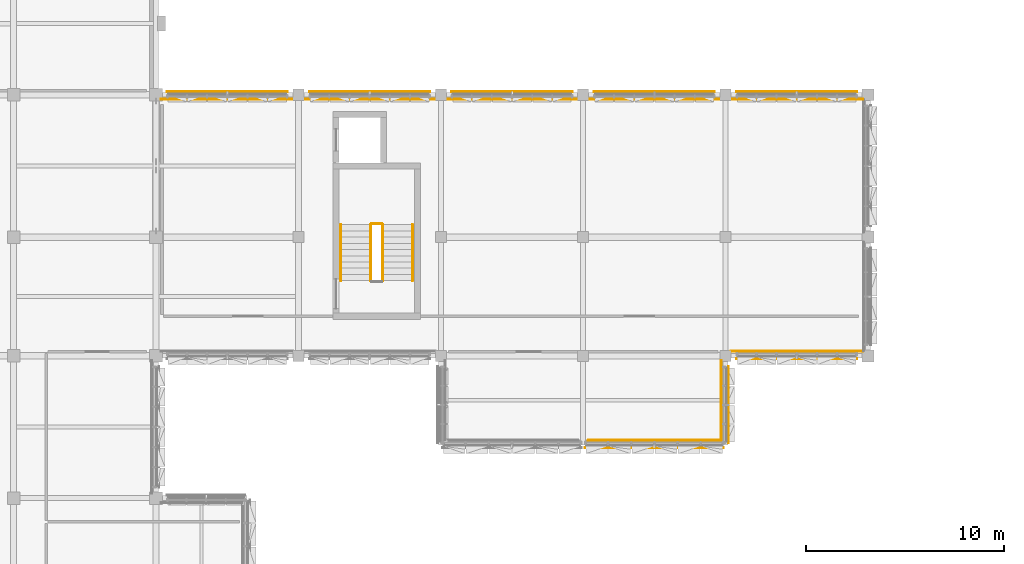
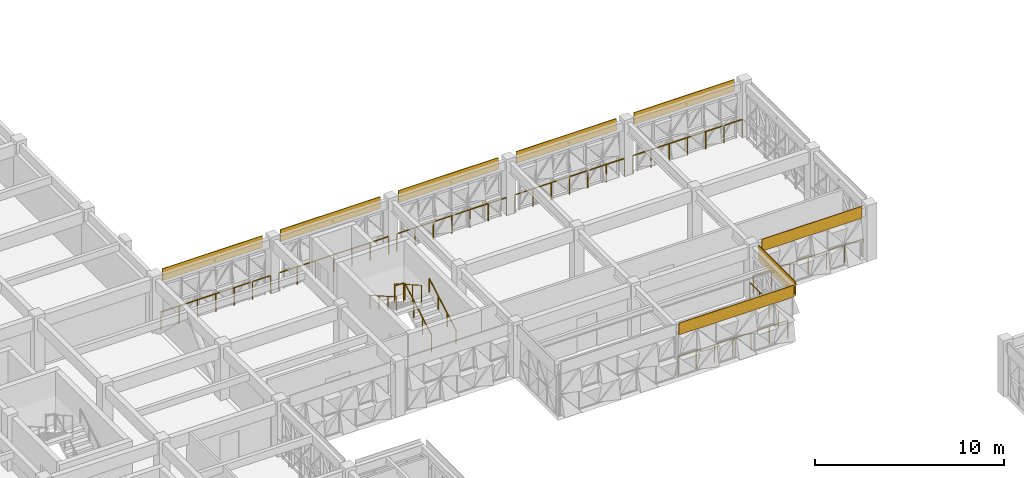
# One storey, part 71 of 85: 13 railings, 8 coverings.
"""IFC4 building model written with IfcOpenShell, lengths in metres."""

from ifc_helpers import new_model, si_unit, direction, frame, origin, origin_2d, place, context, subcontext, project, spatial, polyline, circle, outline, extrude, material, layer, layer_set, type_object, element, save


model = new_model("IFC4")

# Units and contexts
model_context = context("Model", 3, precision=1e-05, world=origin(), true_north=direction((0.0, 1.0)))
body_context = subcontext(model_context, "Body", "Model", "MODEL_VIEW")
ifc_project = project(units=[si_unit("LENGTHUNIT", "METRE"), si_unit("AREAUNIT", "SQUARE_METRE"), si_unit("VOLUMEUNIT", "CUBIC_METRE"), si_unit("PLANEANGLEUNIT", "RADIAN"), si_unit("MASSUNIT", "GRAM", prefix="KILO")], contexts=[model_context])

# Site, building, storey
site_placement = place(None, origin())
site = spatial("IfcSite", under=ifc_project, at=site_placement, CompositionType="ELEMENT")
building_placement = place(site_placement, origin())
building = spatial("IfcBuilding", under=site, at=building_placement, Name="Alvorim Cloister Faculty of Sciences", CompositionType="ELEMENT")
storey_placement = place(building_placement, frame((0.0, 0.0, 8.550048828125)))
storey = spatial("IfcBuildingStorey", under=building, at=storey_placement, Name="L02", CompositionType="ELEMENT", Elevation=8.550048828125)

# Coverings
ifc_material_1 = material(Name="Anodised Aluminium Alloy 6063-T6", Category="aluminium")
ifc_layer = layer(ifc_material_1, 0.031982421875)
ifc_layer_set = layer_set([ifc_layer], Name="Anodised Aluminium Alloy 6063-T6")
covering_type = type_object("IfcCoveringType", Name="COV-FAC-CAS", PredefinedType="CLADDING", material=ifc_layer_set)
for number, where, z_axis, x_axis, name in (
    (1, (29.340087890625, 56.550048828125, 2.829833984375), (0.0, 0.0, 1.0), (1.0, 0.0, 0.0), "L02 Shifted Bar Slab-Edge Architectural Fascia"),
    (2, (36.5400390625, 56.550048828125, 2.829833984375), (0.0, 0.0, 1.0), (1.0, 0.0, 0.0), "L02 Shifted Bar Slab-Edge Architectural Fascia"),
    (3, (43.739990234375, 56.550048828125, 2.829833984375), (0.0, 0.0, 1.0), (1.0, 0.0, 0.0), "L02 Shifted Bar Slab-Edge Architectural Fascia"),
    (4, (50.93994140625, 56.550048828125, 2.829833984375), (0.0, 0.0, 1.0), (1.0, 0.0, 0.0), "L02 Shifted Bar Slab-Edge Architectural Fascia"),
    (5, (58.139892578125, 56.550048828125, 2.829833984375), (0.0, 0.0, 1.0), (1.0, 0.0, 0.0), "L02 Shifted Bar Slab-Edge Architectural Fascia"),
    (6, (58.139892578125, 43.050048828125, 2.829833984375), (0.0, 0.0, 1.0), (1.0, 0.0, 0.0), "L02 Shifted Bar Slab-Edge Architectural Fascia"),
):
    element("IfcCovering", number, at=place(storey_placement, frame(where, z_axis=z_axis, x_axis=x_axis)), inside=storey, type_object=covering_type, Name=name, PredefinedType="CLADDING", context=body_context, shape_type="SweptSolid", body=[
        extrude(outline(polyline([(0.0, 0.0), (6.1201171875, 0.0), (6.1201171875, 0.760009765625), (0.0, 0.760009765625), (0.0, 0.0)])), frame((0.0, 0.0224609375, 0.0), z_axis=(0.0, -1.0, 0.0), x_axis=(1.0, 0.0, 0.0)), (0.0, 0.0, 1.0), 0.044921875),
    ])
covering_1_placement = place(storey_placement, frame((57.75, 38.780029296875, 2.68603515625), z_axis=(0.0, 0.0, 1.0), x_axis=(0.0, 1.0, 0.0)))
element("IfcCovering", 7, at=covering_1_placement, inside=storey, type_object=covering_type, Name="L02 Shifted Bar Slab-Edge Architectural Fascia", PredefinedType="CLADDING", context=body_context, shape_type="SweptSolid", body=[
    extrude(outline(polyline([(0.0, 0.0), (3.8798828125, 0.0), (3.8798828125, 0.90380859375), (0.0, 0.90380859375), (0.0, 0.0)])), frame((0.0, 0.0224609375, 0.0), z_axis=(0.0, -1.0, 0.0), x_axis=(1.0, 0.0, 0.0)), (0.0, 0.0, 1.0), 0.044921875),
])
covering_2_placement = place(storey_placement, frame((50.47998046875, 38.550048828125, 2.8369140625), z_axis=(0.0, 0.0, 1.0), x_axis=(1.0, 0.0, 0.0)))
element("IfcCovering", 8, at=covering_2_placement, inside=storey, type_object=covering_type, Name="L02 Shifted Bar Slab-Edge Architectural Fascia", PredefinedType="CLADDING", context=body_context, shape_type="SweptSolid", body=[
    extrude(outline(polyline([(0.0, 0.0), (7.0400390625, 0.0), (7.0400390625, 0.7529296875), (0.0, 0.7529296875), (0.0, 0.0)])), frame((0.0, 0.0224609375, 0.0), z_axis=(0.0, -1.0, 0.0), x_axis=(1.0, 0.0, 0.0)), (0.0, 0.0, 1.0), 0.044921875),
])

# Railings
ifc_material_2 = material(Name="Laminated Safety Glass and Bronze", Category="glass")
railing_type_1 = type_object("IfcRailingType", Name="RL-ATR-BAL-1150", PredefinedType="BALUSTRADE", material=ifc_material_2)
for number, where, name in (
    (9, (29.050048828125, 56.179931640625, 0.0), "L02 Curtain Wall Sill Guard BL-50"),
    (10, (36.25, 56.179931640625, 0.0), "L02 Curtain Wall Sill Guard BL-51"),
    (11, (43.449951171875, 56.179931640625, 0.0), "L02 Curtain Wall Sill Guard BL-52"),
):
    element("IfcRailing", number, at=place(storey_placement, frame(where)), inside=storey, type_object=railing_type_1, Name=name, PredefinedType="BALUSTRADE", context=body_context, shape_type="SweptSolid", body=[
        extrude(circle(Radius=0.02392578125, at=origin_2d()), frame((0.0, 0.0, 1.1259765625), z_axis=(1.0, 0.0, 0.0), x_axis=(0.0, 1.0, 0.0)), (0.0, 0.0, 1.0), 6.699951171875),
        extrude(circle(Radius=0.02099609375, at=origin_2d()), origin(), (0.0, 0.0, 1.0), 1.101806640625),
        extrude(circle(Radius=0.02099609375, at=origin_2d()), frame((1.11669921875, 0.0, 0.0)), (0.0, 0.0, 1.0), 1.101806640625),
        extrude(circle(Radius=0.02099609375, at=origin_2d()), frame((2.2333984375, 0.0, 0.0)), (0.0, 0.0, 1.0), 1.101806640625),
        extrude(circle(Radius=0.02099609375, at=origin_2d()), frame((3.35009765625, 0.0, 0.0)), (0.0, 0.0, 1.0), 1.101806640625),
        extrude(circle(Radius=0.02099609375, at=origin_2d()), frame((4.466552734375, 0.0, 0.0)), (0.0, 0.0, 1.0), 1.101806640625),
        extrude(circle(Radius=0.02099609375, at=origin_2d()), frame((5.583251953125, 0.0, 0.0)), (0.0, 0.0, 1.0), 1.101806640625),
        extrude(circle(Radius=0.02099609375, at=origin_2d()), frame((6.699951171875, 0.0, 0.0)), (0.0, 0.0, 1.0), 1.101806640625),
    ])
railing_1_placement = place(storey_placement, frame((50.64990234375, 56.179931640625, 0.0)))
element("IfcRailing", 12, at=railing_1_placement, inside=storey, type_object=railing_type_1, Name="L02 Curtain Wall Sill Guard BL-53", PredefinedType="BALUSTRADE", context=body_context, shape_type="SweptSolid", body=[
    extrude(circle(Radius=0.02392578125, at=origin_2d()), frame((0.0, 0.0, 1.1259765625), z_axis=(1.0, 0.0, 0.0), x_axis=(0.0, 1.0, 0.0)), (0.0, 0.0, 1.0), 6.7001953125),
    extrude(circle(Radius=0.02099609375, at=origin_2d()), origin(), (0.0, 0.0, 1.0), 1.101806640625),
    extrude(circle(Radius=0.02099609375, at=origin_2d()), frame((1.11669921875, 0.0, 0.0)), (0.0, 0.0, 1.0), 1.101806640625),
    extrude(circle(Radius=0.02099609375, at=origin_2d()), frame((2.2333984375, 0.0, 0.0)), (0.0, 0.0, 1.0), 1.101806640625),
    extrude(circle(Radius=0.02099609375, at=origin_2d()), frame((3.35009765625, 0.0, 0.0)), (0.0, 0.0, 1.0), 1.101806640625),
    extrude(circle(Radius=0.02099609375, at=origin_2d()), frame((4.466796875, 0.0, 0.0)), (0.0, 0.0, 1.0), 1.101806640625),
    extrude(circle(Radius=0.02099609375, at=origin_2d()), frame((5.58349609375, 0.0, 0.0)), (0.0, 0.0, 1.0), 1.101806640625),
    extrude(circle(Radius=0.02099609375, at=origin_2d()), frame((6.7001953125, 0.0, 0.0)), (0.0, 0.0, 1.0), 1.101806640625),
])
for number, where, name in (
    (13, (57.85009765625, 56.179931640625, 0.0), "L02 Curtain Wall Sill Guard BL-54"),
    (14, (57.85009765625, 43.419921875, 0.0), "L02 Curtain Wall Sill Guard BL-57"),
):
    element("IfcRailing", number, at=place(storey_placement, frame(where)), inside=storey, type_object=railing_type_1, Name=name, PredefinedType="BALUSTRADE", context=body_context, shape_type="SweptSolid", body=[
        extrude(circle(Radius=0.02392578125, at=origin_2d()), frame((0.0, 0.0, 1.1259765625), z_axis=(1.0, 0.0, 0.0), x_axis=(0.0, 1.0, 0.0)), (0.0, 0.0, 1.0), 6.699951171875),
        extrude(circle(Radius=0.02099609375, at=origin_2d()), origin(), (0.0, 0.0, 1.0), 1.101806640625),
        extrude(circle(Radius=0.02099609375, at=origin_2d()), frame((1.11669921875, 0.0, 0.0)), (0.0, 0.0, 1.0), 1.101806640625),
        extrude(circle(Radius=0.02099609375, at=origin_2d()), frame((2.2333984375, 0.0, 0.0)), (0.0, 0.0, 1.0), 1.101806640625),
        extrude(circle(Radius=0.02099609375, at=origin_2d()), frame((3.35009765625, 0.0, 0.0)), (0.0, 0.0, 1.0), 1.101806640625),
        extrude(circle(Radius=0.02099609375, at=origin_2d()), frame((4.466552734375, 0.0, 0.0)), (0.0, 0.0, 1.0), 1.101806640625),
        extrude(circle(Radius=0.02099609375, at=origin_2d()), frame((5.583251953125, 0.0, 0.0)), (0.0, 0.0, 1.0), 1.101806640625),
        extrude(circle(Radius=0.02099609375, at=origin_2d()), frame((6.699951171875, 0.0, 0.0)), (0.0, 0.0, 1.0), 1.101806640625),
    ])
railing_2_placement = place(storey_placement, frame((57.3798828125, 38.949951171875, 0.0)))
element("IfcRailing", 15, at=railing_2_placement, inside=storey, type_object=railing_type_1, Name="L02 Curtain Wall Sill Guard BL-58", PredefinedType="BALUSTRADE", context=body_context, shape_type="SweptSolid", body=[
    extrude(circle(Radius=0.02392578125, at=origin_2d()), frame((0.0, 0.0, 1.1259765625), z_axis=(0.0, 1.0, 0.0), x_axis=(-1.0, 0.0, 0.0)), (0.0, 0.0, 1.0), 4.0),
    extrude(circle(Radius=0.02099609375, at=origin_2d()), origin(), (0.0, 0.0, 1.0), 1.101806640625),
    extrude(circle(Radius=0.02099609375, at=origin_2d()), frame((0.0, 1.0, 0.0)), (0.0, 0.0, 1.0), 1.101806640625),
    extrude(circle(Radius=0.02099609375, at=origin_2d()), frame((0.0, 2.0, 0.0)), (0.0, 0.0, 1.0), 1.101806640625),
    extrude(circle(Radius=0.02099609375, at=origin_2d()), frame((0.0, 3.0, 0.0)), (0.0, 0.0, 1.0), 1.101806640625),
    extrude(circle(Radius=0.02099609375, at=origin_2d()), frame((0.0, 4.0, 0.0)), (0.0, 0.0, 1.0), 1.101806640625),
])
railing_3_placement = place(storey_placement, frame((50.64990234375, 38.919921875, 0.0)))
element("IfcRailing", 16, at=railing_3_placement, inside=storey, type_object=railing_type_1, Name="L02 Curtain Wall Sill Guard BL-59", PredefinedType="BALUSTRADE", context=body_context, shape_type="SweptSolid", body=[
    extrude(circle(Radius=0.02392578125, at=origin_2d()), frame((0.0, 0.0, 1.1259765625), z_axis=(1.0, 0.0, 0.0), x_axis=(0.0, 1.0, 0.0)), (0.0, 0.0, 1.0), 6.7001953125),
    extrude(circle(Radius=0.02099609375, at=origin_2d()), origin(), (0.0, 0.0, 1.0), 1.101806640625),
    extrude(circle(Radius=0.02099609375, at=origin_2d()), frame((1.11669921875, 0.0, 0.0)), (0.0, 0.0, 1.0), 1.101806640625),
    extrude(circle(Radius=0.02099609375, at=origin_2d()), frame((2.2333984375, 0.0, 0.0)), (0.0, 0.0, 1.0), 1.101806640625),
    extrude(circle(Radius=0.02099609375, at=origin_2d()), frame((3.35009765625, 0.0, 0.0)), (0.0, 0.0, 1.0), 1.101806640625),
    extrude(circle(Radius=0.02099609375, at=origin_2d()), frame((4.466796875, 0.0, 0.0)), (0.0, 0.0, 1.0), 1.101806640625),
    extrude(circle(Radius=0.02099609375, at=origin_2d()), frame((5.58349609375, 0.0, 0.0)), (0.0, 0.0, 1.0), 1.101806640625),
    extrude(circle(Radius=0.02099609375, at=origin_2d()), frame((6.7001953125, 0.0, 0.0)), (0.0, 0.0, 1.0), 1.101806640625),
])
ifc_material_3 = material(Name="Galvanised Painted Steel", Category="steel")
railing_type_2 = type_object("IfcRailingType", Name="RL-STR-GUARD", PredefinedType="GUARDRAIL", material=ifc_material_3)
railing_4_placement = place(storey_placement, frame((40.27001953125, 47.0, 0.179931640625)))
element("IfcRailing", 17, at=railing_4_placement, inside=storey, type_object=railing_type_2, Name="L02 ST-04 stair guard 1", PredefinedType="GUARDRAIL", context=body_context, shape_type="SweptSolid", body=[
    extrude(circle(Radius=0.02392578125, at=origin_2d()), frame((0.0, 0.0, 1.09619140625), z_axis=(0.0, 0.868224736699, 0.496171146464), x_axis=(-1.0, 0.0, 0.0)), (0.0, 0.0, 1.0), 3.26513671875),
    extrude(circle(Radius=0.02099609375, at=origin_2d()), origin(), (0.0, 0.0, 1.0), 1.072021484375),
    extrude(circle(Radius=0.02099609375, at=origin_2d()), frame((0.0, 0.945068359375, 0.5400390625)), (0.0, 0.0, 1.0), 1.072021484375),
    extrude(circle(Radius=0.02099609375, at=origin_2d()), frame((0.0, 1.889892578125, 1.080078125)), (0.0, 0.0, 1.0), 1.072021484375),
    extrude(circle(Radius=0.02099609375, at=origin_2d()), frame((0.0, 2.8349609375, 1.6201171875)), (0.0, 0.0, 1.0), 1.072021484375),
])
railing_5_placement = place(storey_placement, frame((40.219970703125, 49.885009765625, 1.800048828125)))
element("IfcRailing", 18, at=railing_5_placement, inside=storey, type_object=railing_type_2, Name="L02 ST-04 stair guard 2", PredefinedType="GUARDRAIL", context=body_context, shape_type="SweptSolid", body=[
    extrude(circle(Radius=0.02392578125, at=origin_2d()), frame((0.0, 0.0, 1.09619140625), z_axis=(-1.0, 0.0, 0.0), x_axis=(0.0, -1.0, 0.0)), (0.0, 0.0, 1.0), 0.52001953125),
    extrude(circle(Radius=0.02099609375, at=origin_2d()), origin(), (0.0, 0.0, 1.0), 1.072021484375),
    extrude(circle(Radius=0.02099609375, at=origin_2d()), frame((-0.52001953125, 0.0, 0.0)), (0.0, 0.0, 1.0), 1.072021484375),
])
railing_6_placement = place(storey_placement, frame((39.64990234375, 49.8349609375, 1.97998046875)))
element("IfcRailing", 19, at=railing_6_placement, inside=storey, type_object=railing_type_2, Name="L02 ST-04 stair guard 3", PredefinedType="GUARDRAIL", context=body_context, shape_type="SweptSolid", body=[
    extrude(circle(Radius=0.02392578125, at=origin_2d()), frame((0.0, 0.0, 1.09619140625), z_axis=(0.0, -0.868256945921, 0.496114780932), x_axis=(1.0, 0.0, 0.0)), (0.0, 0.0, 1.0), 3.26513671875),
    extrude(circle(Radius=0.02099609375, at=origin_2d()), origin(), (0.0, 0.0, 1.0), 1.072021484375),
    extrude(circle(Radius=0.02099609375, at=origin_2d()), frame((0.0, -0.945068359375, 0.5400390625)), (0.0, 0.0, 1.0), 1.072021484375),
    extrude(circle(Radius=0.02099609375, at=origin_2d()), frame((0.0, -1.889892578125, 1.079833984375)), (0.0, 0.0, 1.0), 1.072021484375),
    extrude(circle(Radius=0.02099609375, at=origin_2d()), frame((0.0, -2.8349609375, 1.619873046875)), (0.0, 0.0, 1.0), 1.072021484375),
])
ifc_material_4 = material(Name="Brushed Stainless Steel", Category="steel")
railing_type_3 = type_object("IfcRailingType", Name="RL-STR-HAND", PredefinedType="HANDRAIL", material=ifc_material_4)
railing_7_placement = place(storey_placement, frame((41.77001953125, 47.0, 0.179931640625)))
element("IfcRailing", 20, at=railing_7_placement, inside=storey, type_object=railing_type_3, Name="L02 ST-04 stair handrail 1", PredefinedType="HANDRAIL", context=body_context, shape_type="SweptSolid", body=[
    extrude(circle(Radius=0.02392578125, at=origin_2d()), frame((0.0, 0.0, 0.8759765625), z_axis=(0.0, 0.868224736699, 0.496171146464), x_axis=(-1.0, 0.0, 0.0)), (0.0, 0.0, 1.0), 3.26513671875),
    extrude(circle(Radius=0.02099609375, at=origin_2d()), origin(), (0.0, 0.0, 1.0), 0.851806640625),
    extrude(circle(Radius=0.02099609375, at=origin_2d()), frame((0.0, 0.945068359375, 0.5400390625)), (0.0, 0.0, 1.0), 0.851806640625),
    extrude(circle(Radius=0.02099609375, at=origin_2d()), frame((0.0, 1.889892578125, 1.080078125)), (0.0, 0.0, 1.0), 0.851806640625),
    extrude(circle(Radius=0.02099609375, at=origin_2d()), frame((0.0, 2.8349609375, 1.6201171875)), (0.0, 0.0, 1.0), 0.851806640625),
])
railing_8_placement = place(storey_placement, frame((38.14990234375, 49.8349609375, 1.97998046875)))
element("IfcRailing", 21, at=railing_8_placement, inside=storey, type_object=railing_type_3, Name="L02 ST-04 stair handrail 2", PredefinedType="HANDRAIL", context=body_context, shape_type="SweptSolid", body=[
    extrude(circle(Radius=0.02392578125, at=origin_2d()), frame((0.0, 0.0, 0.8759765625), z_axis=(0.0, -0.868256945921, 0.496114780932), x_axis=(1.0, 0.0, 0.0)), (0.0, 0.0, 1.0), 3.26513671875),
    extrude(circle(Radius=0.02099609375, at=origin_2d()), origin(), (0.0, 0.0, 1.0), 0.851806640625),
    extrude(circle(Radius=0.02099609375, at=origin_2d()), frame((0.0, -0.945068359375, 0.5400390625)), (0.0, 0.0, 1.0), 0.851806640625),
    extrude(circle(Radius=0.02099609375, at=origin_2d()), frame((0.0, -1.889892578125, 1.079833984375)), (0.0, 0.0, 1.0), 0.851806640625),
    extrude(circle(Radius=0.02099609375, at=origin_2d()), frame((0.0, -2.8349609375, 1.619873046875)), (0.0, 0.0, 1.0), 0.851806640625),
])

save(model, "model.ifc")
